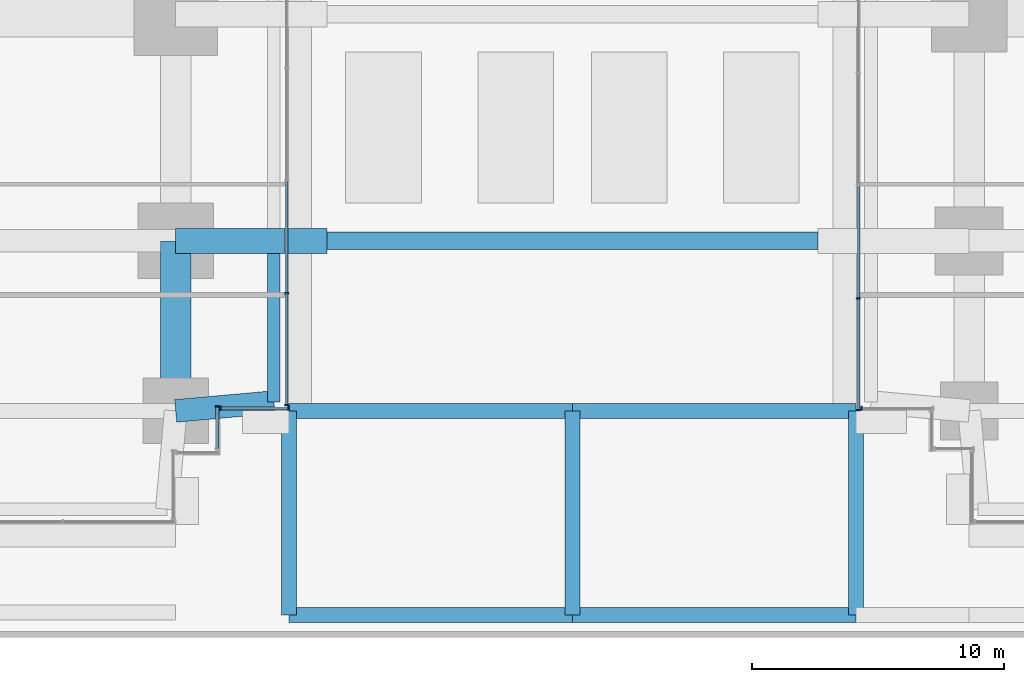
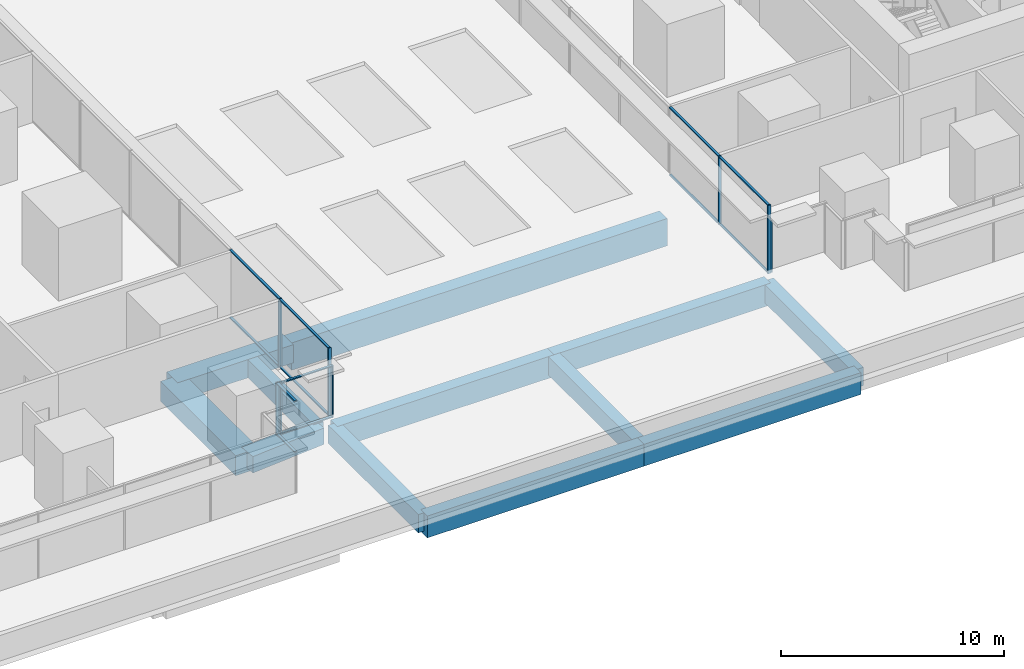
# One storey, part 6 of 34: 20 members, 12 beams, 5 elements without a shape of their own.
"""IFC4 building model written with IfcOpenShell, lengths in metres."""

from ifc_helpers import new_model, si_unit, direction, frame, origin, origin_2d, place, context, subcontext, project, spatial, rectangle, extrude, material, layer, layer_set, material_profile, profile_set, type_object, element, aggregate, save


model = new_model("IFC4")

# Units and contexts
model_context = context("Model", 3, precision=1e-05, world=origin(), true_north=direction((0.0, 1.0)))
body_context = subcontext(model_context, "Body", "Model", "MODEL_VIEW")
ifc_project = project(units=[si_unit("LENGTHUNIT", "METRE"), si_unit("AREAUNIT", "SQUARE_METRE"), si_unit("VOLUMEUNIT", "CUBIC_METRE"), si_unit("PLANEANGLEUNIT", "RADIAN"), si_unit("MASSUNIT", "GRAM", prefix="KILO")], contexts=[model_context])

# Site, building, storey
site_placement = place(None, origin())
site = spatial("IfcSite", under=ifc_project, at=site_placement, CompositionType="ELEMENT")
building_placement = place(site_placement, origin())
building = spatial("IfcBuilding", under=site, at=building_placement, Name="Namib Vertical Campus", CompositionType="ELEMENT")
storey_placement = place(building_placement, frame((0.0, 0.0, 21.0)))
storey = spatial("IfcBuildingStorey", under=building, at=storey_placement, Name="L04", CompositionType="ELEMENT", Elevation=21.0)

# Beam
ifc_material_1 = material(Name="Concrete C40/50", Category="concrete")
ifc_material_profile_1 = material_profile(ifc_material_1, rectangle(XDim=0.699951171875, YDim=1.5, at=origin_2d()))
ifc_profile_set_1 = profile_set([ifc_material_profile_1], Name="Concrete C40/50")
beam_type_1 = type_object("IfcBeamType", Name="Atrium roof girder RC 700x1500", PredefinedType="BEAM", material=ifc_profile_set_1)
beam_1_placement = place(storey_placement, frame((42.0, 11.25, -1.050048828125), z_axis=(1.0, 0.0, 0.0), x_axis=(0.0, 1.0, 0.0)))
element("IfcBeam", 1, at=beam_1_placement, inside=storey, type_object=beam_type_1, Name="Beam PB2 L04", PredefinedType="BEAM", context=body_context, shape_type="SweptSolid", body=[
    extrude(rectangle(XDim=0.699951171875, YDim=1.5, at=origin_2d()), origin(), (0.0, 0.0, 1.0), 19.5),
])

# Curtain wall, member
ifc_material_2 = material(Name="Black aluminium curtain wall", Category="aluminium")
ifc_layer = layer(ifc_material_2, 0.199951171875)
ifc_layer_set = layer_set([ifc_layer], Name="Lounge curtain wall CW-L4")
curtain_wall_type = type_object("IfcCurtainWallType", Name="Lounge curtain wall CW-L4", PredefinedType="USERDEFINED", material=ifc_layer_set)
curtain_wall_1_placement = place(storey_placement, origin())
curtain_wall_1 = element("IfcCurtainWall", 2, at=curtain_wall_1_placement, inside=storey, type_object=curtain_wall_type, Name="Curtain wall CW-L4 L04 F04-1", ObjectType="CURTAIN WALL", PredefinedType="USERDEFINED")
ifc_material_3 = material(Name="Black anodised aluminium", Category="aluminium")
ifc_material_profile_2 = material_profile(ifc_material_3, rectangle(XDim=0.06005859375, YDim=0.159912109375, at=origin_2d()))
ifc_profile_set_2 = profile_set([ifc_material_profile_2], Name="Black anodised aluminium")
member_type_1 = type_object("IfcMemberType", Name="Curtain wall mullion 60x160", PredefinedType="MULLION", material=ifc_profile_set_2)
member_1_placement = place(storey_placement, frame((37.64990234375, 4.669921875, 0.0), z_axis=(0.0, 0.0, 1.0), x_axis=(0.0, 1.0, 0.0)))
member_1 = element("IfcMember", 3, at=member_1_placement, type_object=member_type_1, Name="CW-L4 mullion 2", PredefinedType="MULLION", context=body_context, shape_type="SweptSolid", body=[
    extrude(rectangle(XDim=0.06005859375, YDim=0.159912109375, at=origin_2d()), origin(), (0.0, 0.0, 1.0), 2.85009765625),
])

# Curtain wall, members
curtain_wall_2_placement = place(storey_placement, origin())
curtain_wall_2 = element("IfcCurtainWall", 4, at=curtain_wall_2_placement, inside=storey, type_object=curtain_wall_type, Name="Curtain wall CW-L4 L04 F05-1", ObjectType="CURTAIN WALL", PredefinedType="USERDEFINED")
member_2_placement = place(storey_placement, frame((37.780029296875, 4.60009765625, 0.0), z_axis=(0.0, 0.0, 1.0), x_axis=(1.0, 0.0, 0.0)))
member_2 = element("IfcMember", 5, at=member_2_placement, type_object=member_type_1, Name="CW-L4 mullion 1", PredefinedType="MULLION", context=body_context, shape_type="SweptSolid", body=[
    extrude(rectangle(XDim=0.06005859375, YDim=0.159912109375, at=origin_2d()), origin(), (0.0, 0.0, 1.0), 2.85009765625),
])
member_3_placement = place(storey_placement, frame((40.469970703125, 4.60009765625, 0.0), z_axis=(0.0, 0.0, 1.0), x_axis=(1.0, 0.0, 0.0)))
member_3 = element("IfcMember", 6, at=member_3_placement, type_object=member_type_1, Name="CW-L4 mullion 2", PredefinedType="MULLION", context=body_context, shape_type="SweptSolid", body=[
    extrude(rectangle(XDim=0.06005859375, YDim=0.159912109375, at=origin_2d()), origin(), (0.0, 0.0, 1.0), 2.85009765625),
])

curtain_wall_3_placement = place(storey_placement, origin())
curtain_wall_3 = element("IfcCurtainWall", 7, at=curtain_wall_3_placement, inside=storey, type_object=curtain_wall_type, Name="Curtain wall CW-L4 L04 F06-1", ObjectType="CURTAIN WALL", PredefinedType="USERDEFINED")
member_4_placement = place(storey_placement, frame((40.39990234375, 4.72998046875, 0.0), z_axis=(0.0, 0.0, 1.0), x_axis=(0.0, 1.0, 0.0)))
member_4 = element("IfcMember", 8, at=member_4_placement, type_object=member_type_1, Name="CW-L4 mullion 1", PredefinedType="MULLION", context=body_context, shape_type="SweptSolid", body=[
    extrude(rectangle(XDim=0.06005859375, YDim=0.159912109375, at=origin_2d()), origin(), (0.0, 0.0, 1.0), 3.75),
])
member_5_placement = place(storey_placement, frame((40.39990234375, 9.17138671875, 0.0), z_axis=(0.0, 0.0, 1.0), x_axis=(0.0, 1.0, 0.0)))
member_5 = element("IfcMember", 9, at=member_5_placement, type_object=member_type_1, Name="CW-L4 mullion 2", PredefinedType="MULLION", context=body_context, shape_type="SweptSolid", body=[
    extrude(rectangle(XDim=0.06005859375, YDim=0.159912109375, at=origin_2d()), origin(), (0.0, 0.0, 1.0), 3.75),
])

curtain_wall_4_placement = place(storey_placement, origin())
curtain_wall_4 = element("IfcCurtainWall", 10, at=curtain_wall_4_placement, inside=storey, type_object=curtain_wall_type, Name="Curtain wall CW-L4 L04 F16-1", ObjectType="CURTAIN WALL", PredefinedType="USERDEFINED")
member_6_placement = place(storey_placement, frame((63.10009765625, 8.971435546875, 0.0), z_axis=(0.0, 0.0, 1.0), x_axis=(0.0, -1.0, 0.0)))
member_6 = element("IfcMember", 11, at=member_6_placement, type_object=member_type_1, Name="CW-L4 mullion 7", PredefinedType="MULLION", context=body_context, shape_type="SweptSolid", body=[
    extrude(rectangle(XDim=0.06005859375, YDim=0.159912109375, at=origin_2d()), origin(), (0.0, 0.0, 1.0), 3.75),
])
member_7_placement = place(storey_placement, frame((63.10009765625, 4.530029296875, 0.0), z_axis=(0.0, 0.0, 1.0), x_axis=(0.0, -1.0, 0.0)))
member_7 = element("IfcMember", 12, at=member_7_placement, type_object=member_type_1, Name="CW-L4 mullion 8", PredefinedType="MULLION", context=body_context, shape_type="SweptSolid", body=[
    extrude(rectangle(XDim=0.06005859375, YDim=0.159912109375, at=origin_2d()), origin(), (0.0, 0.0, 1.0), 3.75),
])

# Curtain wall, member
curtain_wall_5_placement = place(storey_placement, origin())
curtain_wall_5 = element("IfcCurtainWall", 13, at=curtain_wall_5_placement, inside=storey, type_object=curtain_wall_type, Name="Curtain wall CW-L4 L04 F17-1", ObjectType="CURTAIN WALL", PredefinedType="USERDEFINED")
member_8_placement = place(storey_placement, frame((63.22998046875, 4.60009765625, 0.0), z_axis=(0.0, 0.0, 1.0), x_axis=(1.0, 0.0, 0.0)))
member_8 = element("IfcMember", 14, at=member_8_placement, type_object=member_type_1, Name="CW-L4 mullion 1", PredefinedType="MULLION", context=body_context, shape_type="SweptSolid", body=[
    extrude(rectangle(XDim=0.06005859375, YDim=0.159912109375, at=origin_2d()), origin(), (0.0, 0.0, 1.0), 2.85009765625),
])
aggregate(curtain_wall_5, [member_8])

# Member
ifc_material_4 = material(Name="Black anodised aluminium", Category="aluminium")
ifc_material_profile_3 = material_profile(ifc_material_4, rectangle(XDim=0.06005859375, YDim=0.1201171875, at=origin_2d()))
ifc_profile_set_3 = profile_set([ifc_material_profile_3], Name="Black anodised aluminium")
member_type_2 = type_object("IfcMemberType", Name="Curtain wall transom 60x120", PredefinedType="USERDEFINED", material=ifc_profile_set_3)
member_9_placement = place(storey_placement, frame((37.64990234375, 3.010009765625, 0.030029296875), z_axis=(0.0, 1.0, 0.0), x_axis=(0.0, 0.0, 1.0)))
member_9 = element("IfcMember", 15, at=member_9_placement, type_object=member_type_2, Name="CW-L4 transom 1.1", ObjectType="TRANSOM", PredefinedType="USERDEFINED", context=body_context, shape_type="SweptSolid", body=[
    extrude(rectangle(XDim=0.06005859375, YDim=0.1201171875, at=origin_2d()), origin(), (0.0, 0.0, 1.0), 1.6298828125),
])

member_10_placement = place(storey_placement, frame((37.64990234375, 3.010009765625, 2.820068359375), z_axis=(0.0, 1.0, 0.0), x_axis=(0.0, 0.0, 1.0)))
member_10 = element("IfcMember", 16, at=member_10_placement, type_object=member_type_2, Name="CW-L4 transom 1.2", ObjectType="TRANSOM", PredefinedType="USERDEFINED", context=body_context, shape_type="SweptSolid", body=[
    extrude(rectangle(XDim=0.06005859375, YDim=0.1201171875, at=origin_2d()), origin(), (0.0, 0.0, 1.0), 1.6298828125),
])

aggregate(curtain_wall_1, [member_1, member_9, member_10])

member_11_placement = place(storey_placement, frame((37.81005859375, 4.60009765625, 0.030029296875), z_axis=(1.0, 0.0, 0.0), x_axis=(0.0, 0.0, 1.0)))
member_11 = element("IfcMember", 17, at=member_11_placement, type_object=member_type_2, Name="CW-L4 transom 1.1", ObjectType="TRANSOM", PredefinedType="USERDEFINED", context=body_context, shape_type="SweptSolid", body=[
    extrude(rectangle(XDim=0.06005859375, YDim=0.1201171875, at=origin_2d()), origin(), (0.0, 0.0, 1.0), 2.6298828125),
])

member_12_placement = place(storey_placement, frame((37.81005859375, 4.60009765625, 2.820068359375), z_axis=(1.0, 0.0, 0.0), x_axis=(0.0, 0.0, 1.0)))
member_12 = element("IfcMember", 18, at=member_12_placement, type_object=member_type_2, Name="CW-L4 transom 1.2", ObjectType="TRANSOM", PredefinedType="USERDEFINED", context=body_context, shape_type="SweptSolid", body=[
    extrude(rectangle(XDim=0.06005859375, YDim=0.1201171875, at=origin_2d()), origin(), (0.0, 0.0, 1.0), 2.6298828125),
])

aggregate(curtain_wall_2, [member_2, member_3, member_11, member_12])

member_13_placement = place(storey_placement, frame((40.39990234375, 4.760009765625, 0.030029296875), z_axis=(0.0, 1.0, 0.0), x_axis=(0.0, 0.0, 1.0)))
member_13 = element("IfcMember", 19, at=member_13_placement, type_object=member_type_2, Name="CW-L4 transom 1.1", ObjectType="TRANSOM", PredefinedType="USERDEFINED", context=body_context, shape_type="SweptSolid", body=[
    extrude(rectangle(XDim=0.06005859375, YDim=0.1201171875, at=origin_2d()), origin(), (0.0, 0.0, 1.0), 4.38134765625),
])

member_14_placement = place(storey_placement, frame((40.39990234375, 4.760009765625, 3.719970703125), z_axis=(0.0, 1.0, 0.0), x_axis=(0.0, 0.0, 1.0)))
member_14 = element("IfcMember", 20, at=member_14_placement, type_object=member_type_2, Name="CW-L4 transom 1.2", ObjectType="TRANSOM", PredefinedType="USERDEFINED", context=body_context, shape_type="SweptSolid", body=[
    extrude(rectangle(XDim=0.06005859375, YDim=0.1201171875, at=origin_2d()), origin(), (0.0, 0.0, 1.0), 4.38134765625),
])

member_15_placement = place(storey_placement, frame((40.39990234375, 9.201416015625, 0.030029296875), z_axis=(0.0, 1.0, 0.0), x_axis=(0.0, 0.0, 1.0)))
member_15 = element("IfcMember", 21, at=member_15_placement, type_object=member_type_2, Name="CW-L4 transom 2.1", ObjectType="TRANSOM", PredefinedType="USERDEFINED", context=body_context, shape_type="SweptSolid", body=[
    extrude(rectangle(XDim=0.06005859375, YDim=0.1201171875, at=origin_2d()), origin(), (0.0, 0.0, 1.0), 4.411376953125),
])

member_16_placement = place(storey_placement, frame((40.39990234375, 9.201416015625, 3.719970703125), z_axis=(0.0, 1.0, 0.0), x_axis=(0.0, 0.0, 1.0)))
member_16 = element("IfcMember", 22, at=member_16_placement, type_object=member_type_2, Name="CW-L4 transom 2.2", ObjectType="TRANSOM", PredefinedType="USERDEFINED", context=body_context, shape_type="SweptSolid", body=[
    extrude(rectangle(XDim=0.06005859375, YDim=0.1201171875, at=origin_2d()), origin(), (0.0, 0.0, 1.0), 4.411376953125),
])

aggregate(curtain_wall_3, [member_4, member_5, member_13, member_14, member_15, member_16])

member_17_placement = place(storey_placement, frame((63.10009765625, 13.412841796875, 0.030029296875), z_axis=(0.0, -1.0, 0.0), x_axis=(0.0, 0.0, 1.0)))
member_17 = element("IfcMember", 23, at=member_17_placement, type_object=member_type_2, Name="CW-L4 transom 6.1", ObjectType="TRANSOM", PredefinedType="USERDEFINED", context=body_context, shape_type="SweptSolid", body=[
    extrude(rectangle(XDim=0.06005859375, YDim=0.1201171875, at=origin_2d()), origin(), (0.0, 0.0, 1.0), 4.411376953125),
])

member_18_placement = place(storey_placement, frame((63.10009765625, 13.412841796875, 3.719970703125), z_axis=(0.0, -1.0, 0.0), x_axis=(0.0, 0.0, 1.0)))
member_18 = element("IfcMember", 24, at=member_18_placement, type_object=member_type_2, Name="CW-L4 transom 6.2", ObjectType="TRANSOM", PredefinedType="USERDEFINED", context=body_context, shape_type="SweptSolid", body=[
    extrude(rectangle(XDim=0.06005859375, YDim=0.1201171875, at=origin_2d()), origin(), (0.0, 0.0, 1.0), 4.411376953125),
])

member_19_placement = place(storey_placement, frame((63.10009765625, 8.94140625, 0.030029296875), z_axis=(0.0, -1.0, 0.0), x_axis=(0.0, 0.0, 1.0)))
member_19 = element("IfcMember", 25, at=member_19_placement, type_object=member_type_2, Name="CW-L4 transom 7.1", ObjectType="TRANSOM", PredefinedType="USERDEFINED", context=body_context, shape_type="SweptSolid", body=[
    extrude(rectangle(XDim=0.06005859375, YDim=0.1201171875, at=origin_2d()), origin(), (0.0, 0.0, 1.0), 4.38134765625),
])

member_20_placement = place(storey_placement, frame((63.10009765625, 8.94140625, 3.719970703125), z_axis=(0.0, -1.0, 0.0), x_axis=(0.0, 0.0, 1.0)))
member_20 = element("IfcMember", 26, at=member_20_placement, type_object=member_type_2, Name="CW-L4 transom 7.2", ObjectType="TRANSOM", PredefinedType="USERDEFINED", context=body_context, shape_type="SweptSolid", body=[
    extrude(rectangle(XDim=0.06005859375, YDim=0.1201171875, at=origin_2d()), origin(), (0.0, 0.0, 1.0), 4.38134765625),
])

aggregate(curtain_wall_4, [member_6, member_7, member_17, member_18, member_19, member_20])

# Beams
ifc_material_5 = material(Name="Concrete C40/50", Category="concrete")
ifc_material_profile_4 = material_profile(ifc_material_5, rectangle(XDim=1.199951171875, YDim=1.10009765625, at=origin_2d()))
ifc_profile_set_4 = profile_set([ifc_material_profile_4], Name="Concrete C40/50")
beam_type_2 = type_object("IfcBeamType", Name="Face ring beam RC 1200x1100", PredefinedType="BEAM", material=ifc_profile_set_4)
beam_2_placement = place(storey_placement, frame((36.0, 4.5, -0.85009765625), z_axis=(0.0, 1.0, 0.0), x_axis=(-1.0, 0.0, 0.0)))
element("IfcBeam", 27, at=beam_2_placement, inside=storey, type_object=beam_type_2, Name="Beam B11 L04", PredefinedType="BEAM", context=body_context, shape_type="SweptSolid", body=[
    extrude(rectangle(XDim=1.199951171875, YDim=1.10009765625, at=origin_2d()), origin(), (0.0, 0.0, 1.0), 6.75),
])
ifc_material_6 = material(Name="Concrete C40/50", Category="concrete")
ifc_material_profile_5 = material_profile(ifc_material_6, rectangle(XDim=0.60009765625, YDim=1.199951171875, at=origin_2d()))
ifc_profile_set_5 = profile_set([ifc_material_profile_5], Name="Concrete C40/50")
beam_type_3 = type_object("IfcBeamType", Name="Long-span podium beam RC 600x1200", PredefinedType="BEAM", material=ifc_profile_set_5)
for number, where, z_axis, x_axis, name in (
    (28, (40.5, -3.60009765625, -0.89990234375), (1.0, 0.0, 0.0), (0.0, 1.0, 0.0), "Beam PB4 L04"),
    (29, (51.75, -3.60009765625, -0.89990234375), (1.0, 0.0, 0.0), (0.0, 1.0, 0.0), "Beam PB4 L04"),
    (30, (40.5, 4.5, -0.89990234375), (1.0, 0.0, 0.0), (0.0, 1.0, 0.0), "Beam PB4 L04"),
    (31, (51.75, 4.5, -0.89990234375), (1.0, 0.0, 0.0), (0.0, 1.0, 0.0), "Beam PB4 L04"),
):
    element("IfcBeam", number, at=place(storey_placement, frame(where, z_axis=z_axis, x_axis=x_axis)), inside=storey, type_object=beam_type_3, Name=name, PredefinedType="BEAM", context=body_context, shape_type="SweptSolid", body=[
        extrude(rectangle(XDim=0.60009765625, YDim=1.199951171875, at=origin_2d()), origin(), (0.0, 0.0, 1.0), 11.25),
    ])
ifc_material_7 = material(Name="Concrete C40/50", Category="concrete")
ifc_material_profile_6 = material_profile(ifc_material_7, rectangle(XDim=0.60009765625, YDim=1.0, at=origin_2d()))
ifc_profile_set_6 = profile_set([ifc_material_profile_6], Name="Concrete C40/50")
beam_type_4 = type_object("IfcBeamType", Name="Podium beam RC 600x1000", PredefinedType="BEAM", material=ifc_profile_set_6)
for number, where, z_axis, x_axis, name in (
    (32, (40.5, -3.60009765625, -0.800048828125), (0.0, 1.0, 0.0), (-1.0, 0.0, 0.0), "Beam PB1 L04"),
    (33, (51.75, -3.60009765625, -0.800048828125), (0.0, 1.0, 0.0), (-1.0, 0.0, 0.0), "Beam PB1 L04"),
    (34, (63.0, -3.60009765625, -0.800048828125), (0.0, 1.0, 0.0), (-1.0, 0.0, 0.0), "Beam PB1 L04"),
):
    element("IfcBeam", number, at=place(storey_placement, frame(where, z_axis=z_axis, x_axis=x_axis)), inside=storey, type_object=beam_type_4, Name=name, PredefinedType="BEAM", context=body_context, shape_type="SweptSolid", body=[
        extrude(rectangle(XDim=0.60009765625, YDim=1.0, at=origin_2d()), origin(), (0.0, 0.0, 1.0), 8.10009765625),
    ])
ifc_material_8 = material(Name="Concrete C40/50", Category="concrete")
ifc_material_profile_7 = material_profile(ifc_material_8, rectangle(XDim=0.89990234375, YDim=0.89990234375, at=origin_2d()))
ifc_profile_set_7 = profile_set([ifc_material_profile_7], Name="Concrete C40/50")
beam_type_5 = type_object("IfcBeamType", Name="Podium roof corner cantilever RC 900x900", PredefinedType="BEAM", material=ifc_profile_set_7)
beam_3_placement = place(storey_placement, frame((36.0, 4.5, -0.75), z_axis=(0.995994786511, 0.089411326146, 0.0), x_axis=(-0.089411326146, 0.995994786511, 0.0)))
element("IfcBeam", 35, at=beam_3_placement, inside=storey, type_object=beam_type_5, Name="Beam B13 L04", PredefinedType="BEAM", context=body_context, shape_type="SweptSolid", body=[
    extrude(rectangle(XDim=0.89990234375, YDim=0.89990234375, at=origin_2d()), origin(), (0.0, 0.0, 1.0), 3.91552734375),
])
ifc_material_9 = material(Name="Concrete C40/50", Category="concrete")
ifc_material_profile_8 = material_profile(ifc_material_9, rectangle(XDim=0.5, YDim=1.0, at=origin_2d()))
ifc_profile_set_8 = profile_set([ifc_material_profile_8], Name="Concrete C40/50")
beam_type_6 = type_object("IfcBeamType", Name="Podium roof edge beam RC 500x1000", PredefinedType="SPANDREL", material=ifc_profile_set_8)
beam_4_placement = place(storey_placement, frame((39.89990234375, 4.85009765625, -0.800048828125), z_axis=(0.0, 1.0, 0.0), x_axis=(-1.0, 0.0, 0.0)))
element("IfcBeam", 36, at=beam_4_placement, inside=storey, type_object=beam_type_6, Name="Beam B8 L04", PredefinedType="SPANDREL", context=body_context, shape_type="SweptSolid", body=[
    extrude(rectangle(XDim=0.5, YDim=1.0, at=origin_2d()), origin(), (0.0, 0.0, 1.0), 5.89990234375),
])
ifc_material_10 = material(Name="Concrete C40/50", Category="concrete")
ifc_material_profile_9 = material_profile(ifc_material_10, rectangle(XDim=1.0, YDim=1.0, at=origin_2d()))
ifc_profile_set_9 = profile_set([ifc_material_profile_9], Name="Concrete C40/50")
beam_type_7 = type_object("IfcBeamType", Name="Podium tie beam RC 1000x1000", PredefinedType="BEAM", material=ifc_profile_set_9)
beam_5_placement = place(storey_placement, frame((36.0, 11.25, -0.800048828125), z_axis=(1.0, 0.0, 0.0), x_axis=(0.0, 1.0, 0.0)))
element("IfcBeam", 37, at=beam_5_placement, inside=storey, type_object=beam_type_7, Name="Beam PB3 L04", PredefinedType="BEAM", context=body_context, shape_type="SweptSolid", body=[
    extrude(rectangle(XDim=1.0, YDim=1.0, at=origin_2d()), origin(), (0.0, 0.0, 1.0), 6.0),
])

save(model, "model.ifc")
